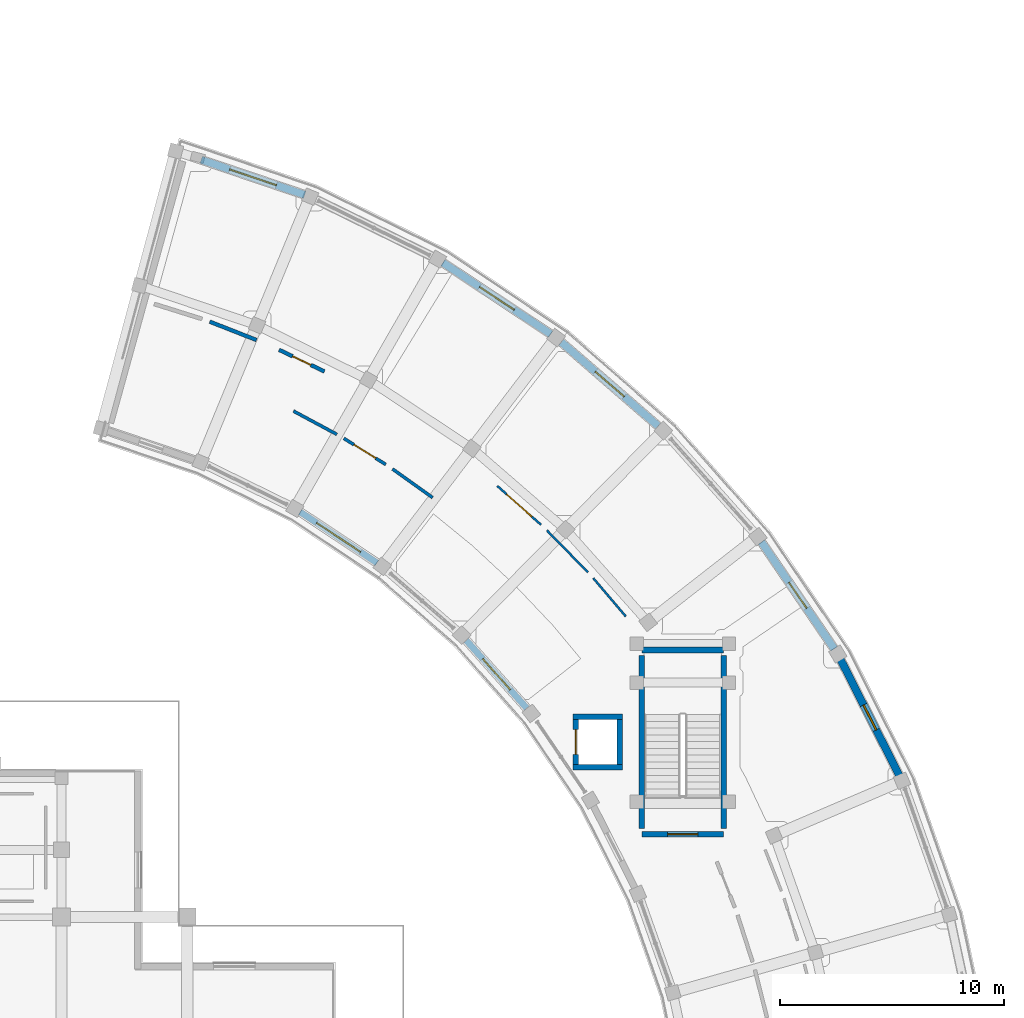
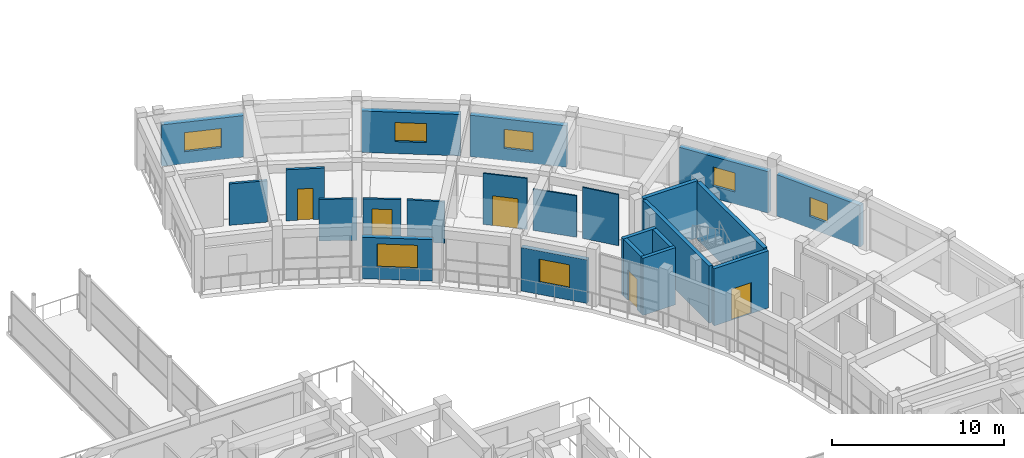
# One storey, part 53 of 72: 23 walls, 7 windows, 5 doors, 12 openings.
"""IFC4 building model written with IfcOpenShell, lengths in metres."""

from ifc_helpers import new_model, si_unit, direction, frame, frame_2d, origin, place, context, subcontext, project, spatial, rectangle, extrude, material, layer, layer_set, type_object, element, fill, save


model = new_model("IFC4")

# Units and contexts
model_context = context("Model", 3, precision=1e-05, world=origin(), true_north=direction((0.0, 1.0)))
body_context = subcontext(model_context, "Body", "Model", "MODEL_VIEW")
ifc_project = project(units=[si_unit("LENGTHUNIT", "METRE"), si_unit("AREAUNIT", "SQUARE_METRE"), si_unit("VOLUMEUNIT", "CUBIC_METRE"), si_unit("PLANEANGLEUNIT", "RADIAN"), si_unit("MASSUNIT", "GRAM", prefix="KILO")], contexts=[model_context])

# Site, building, storey
site_placement = place(None, origin())
site = spatial("IfcSite", under=ifc_project, at=site_placement, CompositionType="ELEMENT")
building_placement = place(site_placement, origin())
building = spatial("IfcBuilding", under=site, at=building_placement, Name="Saryqyr Civic Hall", CompositionType="ELEMENT")
storey_placement = place(building_placement, frame((0.0, 0.0, 17.25)))
storey = spatial("IfcBuildingStorey", under=building, at=storey_placement, Name="L04", CompositionType="ELEMENT", Elevation=17.25)

# Wall, opening, window
ifc_material_1 = material(Name="Precast concrete C40/50", Category="concrete")
ifc_layer_1 = layer(ifc_material_1, 0.2900390625, Name="Precast concrete C40/50")
ifc_layer_set_1 = layer_set([ifc_layer_1], Name="Precast concrete C40/50")
wall_type_1 = type_object("IfcWallType", Name="ENV-WAL-EXT-290", PredefinedType="STANDARD", material=ifc_layer_set_1)
wall_1_placement = place(storey_placement, frame((85.326416015625, 106.509521484375, 0.0), z_axis=(0.0, 0.0, 1.0), x_axis=(-0.664947894459, 0.74688974933, 0.0)))
wall_1 = element("IfcWall", 1, at=wall_1_placement, inside=storey, type_object=wall_type_1, Name="Exterior wall V6-EWI-L04-05", PredefinedType="STANDARD", context=body_context, shape_type="SweptSolid", body=[
    extrude(rectangle(XDim=4.046142578125, YDim=0.2900390625, at=frame_2d((2.02294921875, 0.0))), origin(), (0.0, 0.0, 1.0), 3.0849609375),
])
opening_1_placement = place(wall_1_placement, frame((1.097900390625, 0.0, 0.85009765625)))
opening_1 = element("IfcOpeningElement", 2, at=opening_1_placement, cuts=wall_1, Name="Opening W-20", PredefinedType="OPENING", context=body_context, shape_type="SweptSolid", body=[
    extrude(rectangle(XDim=1.85009765625, YDim=1.64990234375, at=frame_2d((0.925048828125, 0.824951171875))), frame((0.0, 0.155029296875, 0.0), z_axis=(0.0, -1.0, 0.0), x_axis=(1.0, 0.0, 0.0)), (0.0, 0.0, 1.0), 0.31005859375),
])
ifc_material_2 = material(Name="Anodised aluminium and triple low-E glass", Category="aluminium")
window_type_1 = type_object("IfcWindowType", Name="ENV-WIN-W20", PartitioningType="SINGLE_PANEL", PredefinedType="WINDOW", material=ifc_material_2)
window_1_placement = place(opening_1_placement, origin())
window_1 = element("IfcWindow", 3, at=window_1_placement, inside=storey, type_object=window_type_1, Name="Courtyard window V6-L04-05", OverallHeight=1.64990234375, OverallWidth=1.85009765625, PartitioningType="SINGLE_PANEL", PredefinedType="WINDOW", context=body_context, shape_type="SweptSolid", body=[
    extrude(rectangle(XDim=1.85009765625, YDim=1.64990234375, at=frame_2d((0.925048828125, 0.824951171875))), frame((0.0, 0.030029296875, 0.0), z_axis=(0.0, -1.0, 0.0), x_axis=(1.0, 0.0, 0.0)), (0.0, 0.0, 1.0), 0.06005859375),
])
fill(opening_1, window_1)

wall_2_placement = place(storey_placement, frame((78.658935546875, 112.984375, 0.0), z_axis=(0.0, 0.0, 1.0), x_axis=(-0.833763777336, 0.552121330508, 0.0)))
wall_2 = element("IfcWall", 4, at=wall_2_placement, inside=storey, type_object=wall_type_1, Name="Exterior wall V6-EWI-L04-07", PredefinedType="STANDARD", context=body_context, shape_type="SweptSolid", body=[
    extrude(rectangle(XDim=4.111572265625, YDim=0.2900390625, at=frame_2d((2.0556640625, 0.0))), origin(), (0.0, 0.0, 1.0), 2.93505859375),
])
opening_2_placement = place(wall_2_placement, frame((0.881103515625, 0.0, 0.85009765625)))
opening_2 = element("IfcOpeningElement", 5, at=opening_2_placement, cuts=wall_2, Name="Opening W-22", PredefinedType="OPENING", context=body_context, shape_type="SweptSolid", body=[
    extrude(rectangle(XDim=2.35009765625, YDim=1.64990234375, at=frame_2d((1.175048828125, 0.824951171875))), frame((0.0, 0.155029296875, 0.0), z_axis=(0.0, -1.0, 0.0), x_axis=(1.0, 0.0, 0.0)), (0.0, 0.0, 1.0), 0.31005859375),
])
window_type_2 = type_object("IfcWindowType", Name="ENV-WIN-W22", PartitioningType="SINGLE_PANEL", PredefinedType="WINDOW", material=ifc_material_2)
window_2_placement = place(opening_2_placement, origin())
window_2 = element("IfcWindow", 6, at=window_2_placement, inside=storey, type_object=window_type_2, Name="Courtyard window V6-L04-07", OverallHeight=1.64990234375, OverallWidth=2.35009765625, PartitioningType="SINGLE_PANEL", PredefinedType="WINDOW", context=body_context, shape_type="SweptSolid", body=[
    extrude(rectangle(XDim=2.35009765625, YDim=1.64990234375, at=frame_2d((1.175048828125, 0.824951171875))), frame((0.0, 0.030029296875, 0.0), z_axis=(0.0, -1.0, 0.0), x_axis=(1.0, 0.0, 0.0)), (0.0, 0.0, 1.0), 0.06005859375),
])
fill(opening_2, window_2)

ifc_layer_2 = layer(ifc_material_1, 0.340087890625, Name="Precast concrete C40/50")
ifc_layer_set_2 = layer_set([ifc_layer_2], Name="Precast concrete C40/50")
wall_type_2 = type_object("IfcWallType", Name="ENV-WAL-EXT-340", PredefinedType="STANDARD", material=ifc_layer_set_2)
wall_3_placement = place(storey_placement, frame((99.30859375, 108.685791015625, 0.0), z_axis=(0.0, 0.0, 1.0), x_axis=(0.451920591159, -0.892058170349, 0.0)))
wall_3 = element("IfcWall", 7, at=wall_3_placement, inside=storey, type_object=wall_type_2, Name="Exterior wall V6-EWO-L04-03", PredefinedType="STANDARD", context=body_context, shape_type="SweptSolid", body=[
    extrude(rectangle(XDim=5.801513671875, YDim=0.340087890625, at=frame_2d((2.90087890625, 0.0))), origin(), (0.0, 0.0, 1.0), 2.93505859375),
])
opening_3_placement = place(wall_3_placement, frame((2.27587890625, 0.0, 0.85009765625)))
opening_3 = element("IfcOpeningElement", 8, at=opening_3_placement, cuts=wall_3, Name="Opening W-02", PredefinedType="OPENING", context=body_context, shape_type="SweptSolid", body=[
    extrude(rectangle(XDim=1.25, YDim=1.35009765625, at=frame_2d((0.625, 0.675048828125))), frame((0.0, 0.179931640625, 0.0), z_axis=(0.0, -1.0, 0.0), x_axis=(1.0, 0.0, 0.0)), (0.0, 0.0, 1.0), 0.360107421875),
])
window_type_3 = type_object("IfcWindowType", Name="ENV-WIN-W02", PartitioningType="SINGLE_PANEL", PredefinedType="WINDOW", material=ifc_material_2)
window_3_placement = place(opening_3_placement, origin())
window_3 = element("IfcWindow", 9, at=window_3_placement, inside=storey, type_object=window_type_3, Name="Exterior ribbon window V6-L04-03", OverallHeight=1.35009765625, OverallWidth=1.25, PartitioningType="SINGLE_PANEL", PredefinedType="WINDOW", context=body_context, shape_type="SweptSolid", body=[
    extrude(rectangle(XDim=1.25, YDim=1.35009765625, at=frame_2d((0.625, 0.675048828125))), frame((0.0, 0.030029296875, 0.0), z_axis=(0.0, -1.0, 0.0), x_axis=(1.0, 0.0, 0.0)), (0.0, 0.0, 1.0), 0.06005859375),
])
fill(opening_3, window_3)

wall_4_placement = place(storey_placement, frame((95.785888671875, 113.91552734375, 0.0), z_axis=(0.0, 0.0, 1.0), x_axis=(0.563132935525, -0.826366321269, 0.0)))
wall_4 = element("IfcWall", 10, at=wall_4_placement, inside=storey, type_object=wall_type_2, Name="Exterior wall V6-EWO-L04-04", PredefinedType="STANDARD", context=body_context, shape_type="SweptSolid", body=[
    extrude(rectangle(XDim=5.759521484375, YDim=0.340087890625, at=frame_2d((2.8798828125, 0.0))), origin(), (0.0, 0.0, 1.0), 2.93505859375),
])
opening_4_placement = place(wall_4_placement, frame((2.179931640625, 0.0, 0.85009765625)))
opening_4 = element("IfcOpeningElement", 11, at=opening_4_placement, cuts=wall_4, Name="Opening W-03", PredefinedType="OPENING", context=body_context, shape_type="SweptSolid", body=[
    extrude(rectangle(XDim=1.39990234375, YDim=1.35009765625, at=frame_2d((0.699951171875, 0.675048828125))), frame((0.0, 0.179931640625, 0.0), z_axis=(0.0, -1.0, 0.0), x_axis=(1.0, 0.0, 0.0)), (0.0, 0.0, 1.0), 0.360107421875),
])
window_type_4 = type_object("IfcWindowType", Name="ENV-WIN-W03", PartitioningType="SINGLE_PANEL", PredefinedType="WINDOW", material=ifc_material_2)
window_4_placement = place(opening_4_placement, origin())
window_4 = element("IfcWindow", 12, at=window_4_placement, inside=storey, type_object=window_type_4, Name="Exterior ribbon window V6-L04-04", OverallHeight=1.35009765625, OverallWidth=1.39990234375, PartitioningType="SINGLE_PANEL", PredefinedType="WINDOW", context=body_context, shape_type="SweptSolid", body=[
    extrude(rectangle(XDim=1.39990234375, YDim=1.35009765625, at=frame_2d((0.699951171875, 0.675048828125))), frame((0.0, 0.030029296875, 0.0), z_axis=(0.0, -1.0, 0.0), x_axis=(1.0, 0.0, 0.0)), (0.0, 0.0, 1.0), 0.06005859375),
])
fill(opening_4, window_4)

wall_5_placement = place(storey_placement, frame((86.87060546875, 122.818603515625, 0.0), z_axis=(0.0, 0.0, 1.0), x_axis=(0.755648143479, -0.654977773101, 0.0)))
wall_5 = element("IfcWall", 13, at=wall_5_placement, inside=storey, type_object=wall_type_2, Name="Exterior wall V6-EWO-L04-06", PredefinedType="STANDARD", context=body_context, shape_type="SweptSolid", body=[
    extrude(rectangle(XDim=5.706298828125, YDim=0.340087890625, at=frame_2d((2.85302734375, 0.0))), origin(), (0.0, 0.0, 1.0), 2.93505859375),
])
opening_5_placement = place(wall_5_placement, frame((2.0029296875, 0.0, 0.85009765625)))
opening_5 = element("IfcOpeningElement", 14, at=opening_5_placement, cuts=wall_5, Name="Opening W-05", PredefinedType="OPENING", context=body_context, shape_type="SweptSolid", body=[
    extrude(rectangle(XDim=1.699951171875, YDim=1.35009765625, at=frame_2d((0.85009765625, 0.675048828125))), frame((0.0, 0.179931640625, 0.0), z_axis=(0.0, -1.0, 0.0), x_axis=(1.0, 0.0, 0.0)), (0.0, 0.0, 1.0), 0.360107421875),
])
window_type_5 = type_object("IfcWindowType", Name="ENV-WIN-W05", PartitioningType="SINGLE_PANEL", PredefinedType="WINDOW", material=ifc_material_2)
window_5_placement = place(opening_5_placement, origin())
window_5 = element("IfcWindow", 15, at=window_5_placement, inside=storey, type_object=window_type_5, Name="Exterior ribbon window V6-L04-06", OverallHeight=1.35009765625, OverallWidth=1.699951171875, PartitioningType="SINGLE_PANEL", PredefinedType="WINDOW", context=body_context, shape_type="SweptSolid", body=[
    extrude(rectangle(XDim=1.699951171875, YDim=1.35009765625, at=frame_2d((0.85009765625, 0.675048828125))), frame((0.0, 0.030029296875, 0.0), z_axis=(0.0, -1.0, 0.0), x_axis=(1.0, 0.0, 0.0)), (0.0, 0.0, 1.0), 0.06005859375),
])
fill(opening_5, window_5)

wall_6_placement = place(storey_placement, frame((81.593994140625, 126.360595703125, 0.0), z_axis=(0.0, 0.0, 1.0), x_axis=(0.833772811773, -0.552107687276, 0.0)))
wall_6 = element("IfcWall", 16, at=wall_6_placement, inside=storey, type_object=wall_type_2, Name="Exterior wall V6-EWO-L04-07", PredefinedType="STANDARD", context=body_context, shape_type="SweptSolid", body=[
    extrude(rectangle(XDim=5.764892578125, YDim=0.340087890625, at=frame_2d((2.88232421875, 0.0))), origin(), (0.0, 0.0, 1.0), 2.93505859375),
])
opening_6_placement = place(wall_6_placement, frame((1.95703125, 0.0, 0.85009765625)))
opening_6 = element("IfcOpeningElement", 17, at=opening_6_placement, cuts=wall_6, Name="Opening W-06", PredefinedType="OPENING", context=body_context, shape_type="SweptSolid", body=[
    extrude(rectangle(XDim=1.85009765625, YDim=1.35009765625, at=frame_2d((0.925048828125, 0.675048828125))), frame((0.0, 0.179931640625, 0.0), z_axis=(0.0, -1.0, 0.0), x_axis=(1.0, 0.0, 0.0)), (0.0, 0.0, 1.0), 0.360107421875),
])
window_type_6 = type_object("IfcWindowType", Name="ENV-WIN-W06", PartitioningType="SINGLE_PANEL", PredefinedType="WINDOW", material=ifc_material_2)
window_6_placement = place(opening_6_placement, origin())
window_6 = element("IfcWindow", 18, at=window_6_placement, inside=storey, type_object=window_type_6, Name="Exterior ribbon window V6-L04-07", OverallHeight=1.35009765625, OverallWidth=1.85009765625, PartitioningType="SINGLE_PANEL", PredefinedType="WINDOW", context=body_context, shape_type="SweptSolid", body=[
    extrude(rectangle(XDim=1.85009765625, YDim=1.35009765625, at=frame_2d((0.925048828125, 0.675048828125))), frame((0.0, 0.030029296875, 0.0), z_axis=(0.0, -1.0, 0.0), x_axis=(1.0, 0.0, 0.0)), (0.0, 0.0, 1.0), 0.06005859375),
])
fill(opening_6, window_6)

wall_7_placement = place(storey_placement, frame((70.820556640625, 130.945068359375, 0.0), z_axis=(0.0, 0.0, 1.0), x_axis=(0.947186506556, -0.320683210969, 0.0)))
wall_7 = element("IfcWall", 19, at=wall_7_placement, inside=storey, type_object=wall_type_2, Name="Exterior wall V6-EWO-L04-09", PredefinedType="STANDARD", context=body_context, shape_type="SweptSolid", body=[
    extrude(rectangle(XDim=4.87841796875, YDim=0.340087890625, at=frame_2d((2.439208984375, 0.0))), origin(), (0.0, 0.0, 1.0), 2.93505859375),
])
opening_7_placement = place(wall_7_placement, frame((1.339111328125, 0.0, 0.85009765625)))
opening_7 = element("IfcOpeningElement", 20, at=opening_7_placement, cuts=wall_7, Name="Opening W-08", PredefinedType="OPENING", context=body_context, shape_type="SweptSolid", body=[
    extrude(rectangle(XDim=2.199951171875, YDim=1.35009765625, at=frame_2d((1.10009765625, 0.675048828125))), frame((0.0, 0.179931640625, 0.0), z_axis=(0.0, -1.0, 0.0), x_axis=(1.0, 0.0, 0.0)), (0.0, 0.0, 1.0), 0.360107421875),
])
window_type_7 = type_object("IfcWindowType", Name="ENV-WIN-W08", PartitioningType="SINGLE_PANEL", PredefinedType="WINDOW", material=ifc_material_2)
window_7_placement = place(opening_7_placement, origin())
window_7 = element("IfcWindow", 21, at=window_7_placement, inside=storey, type_object=window_type_7, Name="Exterior ribbon window V6-L04-09", OverallHeight=1.35009765625, OverallWidth=2.199951171875, PartitioningType="SINGLE_PANEL", PredefinedType="WINDOW", context=body_context, shape_type="SweptSolid", body=[
    extrude(rectangle(XDim=2.199951171875, YDim=1.35009765625, at=frame_2d((1.10009765625, 0.675048828125))), frame((0.0, 0.030029296875, 0.0), z_axis=(0.0, -1.0, 0.0), x_axis=(1.0, 0.0, 0.0)), (0.0, 0.0, 1.0), 0.06005859375),
])
fill(opening_7, window_7)

# Wall
ifc_material_3 = material(Name="Lightweight demountable partition", Category="gypsum")
ifc_layer_3 = layer(ifc_material_3, 0.094970703125, Name="Lightweight demountable partition")
ifc_layer_set_3 = layer_set([ifc_layer_3], Name="Lightweight demountable partition")
wall_type_3 = type_object("IfcWallType", Name="INT-WAL-PRT-095", PredefinedType="PARTITIONING", material=ifc_layer_set_3)
wall_8_placement = place(storey_placement, frame((88.0517578125, 112.56787109375, 0.0), z_axis=(0.0, 0.0, 1.0), x_axis=(-0.699432513576, 0.714698649049, 0.0)))
element("IfcWall", 22, at=wall_8_placement, inside=storey, type_object=wall_type_3, Name="Interior partition PRT-SP-V6-L04-R02-W1", PredefinedType="PARTITIONING", context=body_context, shape_type="SweptSolid", body=[
    extrude(rectangle(XDim=2.606689453125, YDim=0.094970703125, at=frame_2d((1.30322265625, 0.0))), origin(), (0.0, 0.0, 1.0), 2.93505859375),
])

# Wall, opening, door
wall_9_placement = place(storey_placement, frame((85.968017578125, 114.678955078125, 0.0), z_axis=(0.0, 0.0, 1.0), x_axis=(-0.747951639087, 0.663753226423, 0.0)))
wall_9 = element("IfcWall", 23, at=wall_9_placement, inside=storey, type_object=wall_type_3, Name="Interior partition PRT-SP-V6-L04-R02-W2", PredefinedType="PARTITIONING", context=body_context, shape_type="SweptSolid", body=[
    extrude(rectangle(XDim=2.606689453125, YDim=0.094970703125, at=frame_2d((1.30322265625, 0.0))), origin(), (0.0, 0.0, 1.0), 3.6201171875),
])
opening_8_placement = place(wall_9_placement, frame((0.552978515625, 0.0, 0.0)))
opening_8 = element("IfcOpeningElement", 24, at=opening_8_placement, cuts=wall_9, Name="Opening D-08", PredefinedType="OPENING", context=body_context, shape_type="SweptSolid", body=[
    extrude(rectangle(XDim=1.5, YDim=2.10009765625, at=frame_2d((0.75, 1.050048828125))), frame((0.0, 0.057373046875, 0.0), z_axis=(0.0, -1.0, 0.0), x_axis=(1.0, 0.0, 0.0)), (0.0, 0.0, 1.0), 0.114990234375),
])
ifc_material_4 = material(Name="Acoustic solid-core oak veneer", Category="wood")
door_type_1 = type_object("IfcDoorType", Name="INT-DR-D-08", OperationType="NOTDEFINED", PredefinedType="DOOR", material=ifc_material_4)
door_1_placement = place(opening_8_placement, origin())
door_1 = element("IfcDoor", 25, at=door_1_placement, inside=storey, type_object=door_type_1, Name="Interior door Chief of Staff & Cabinet Secretariat", OperationType="SINGLE_SWING_LEFT", OverallHeight=2.10009765625, OverallWidth=1.5, PredefinedType="DOOR", context=body_context, shape_type="SweptSolid", body=[
    extrude(rectangle(XDim=1.5, YDim=2.10009765625, at=frame_2d((0.75, 1.050048828125))), frame((0.0, 0.02490234375, 0.0), z_axis=(0.0, -1.0, 0.0), x_axis=(1.0, 0.0, 0.0)), (0.0, 0.0, 1.0), 0.050048828125),
])
fill(opening_8, door_1)

# Wall
wall_10_placement = place(storey_placement, frame((89.74267578125, 110.59765625, 0.0), z_axis=(0.0, 0.0, 1.0), x_axis=(-0.647594555726, 0.761985099195, 0.0)))
element("IfcWall", 26, at=wall_10_placement, inside=storey, type_object=wall_type_3, Name="Interior partition PRT-SP-V6-L04-R02-W3", PredefinedType="PARTITIONING", context=body_context, shape_type="SweptSolid", body=[
    extrude(rectangle(XDim=2.23681640625, YDim=0.094970703125, at=frame_2d((1.118408203125, 0.0))), origin(), (0.0, 0.0, 1.0), 3.6201171875),
])

# Wall, opening, door
ifc_material_5 = material(Name="Metal-stud gypsum board partition", Category="gypsum")
ifc_layer_4 = layer(ifc_material_5, 0.139892578125, Name="Metal-stud gypsum board partition")
ifc_layer_set_4 = layer_set([ifc_layer_4], Name="Metal-stud gypsum board partition")
wall_type_4 = type_object("IfcWallType", Name="INT-WAL-PRT-140", PredefinedType="PARTITIONING", material=ifc_layer_set_4)
wall_11_placement = place(storey_placement, frame((77.18310546875, 118.5283203125, 0.0), z_axis=(0.0, 0.0, 1.0), x_axis=(0.849164067555, -0.52812913797, 0.0)))
wall_11 = element("IfcWall", 27, at=wall_11_placement, inside=storey, type_object=wall_type_4, Name="Interior partition PRT-SP-V6-L04-R05-W1", PredefinedType="PARTITIONING", context=body_context, shape_type="SweptSolid", body=[
    extrude(rectangle(XDim=2.1962890625, YDim=0.139892578125, at=frame_2d((1.09814453125, 0.0))), origin(), (0.0, 0.0, 1.0), 2.93505859375),
])
opening_9_placement = place(wall_11_placement, frame((0.52294921875, 0.0, 0.0)))
opening_9 = element("IfcOpeningElement", 28, at=opening_9_placement, cuts=wall_11, Name="Opening D-11", PredefinedType="OPENING", context=body_context, shape_type="SweptSolid", body=[
    extrude(rectangle(XDim=1.14990234375, YDim=2.219970703125, at=frame_2d((0.574951171875, 1.10986328125))), frame((0.0, 0.079833984375, 0.0), z_axis=(0.0, -1.0, 0.0), x_axis=(1.0, 0.0, 0.0)), (0.0, 0.0, 1.0), 0.159912109375),
])
door_type_2 = type_object("IfcDoorType", Name="INT-DR-D-11", OperationType="NOTDEFINED", PredefinedType="DOOR", material=ifc_material_4)
door_2_placement = place(opening_9_placement, origin())
door_2 = element("IfcDoor", 29, at=door_2_placement, inside=storey, type_object=door_type_2, Name="Interior door Protocol & Civic Delegations Office", OperationType="SINGLE_SWING_RIGHT", OverallHeight=2.219970703125, OverallWidth=1.14990234375, PredefinedType="DOOR", context=body_context, shape_type="SweptSolid", body=[
    extrude(rectangle(XDim=1.14990234375, YDim=2.219970703125, at=frame_2d((0.574951171875, 1.10986328125))), frame((0.0, 0.02490234375, 0.0), z_axis=(0.0, -1.0, 0.0), x_axis=(1.0, 0.0, 0.0)), (0.0, 0.0, 1.0), 0.050048828125),
])
fill(opening_9, door_2)

# Walls
for number, where, z_axis, x_axis, name in (
    (30, (79.347412109375, 117.168701171875, 0.0), (0.0, 0.0, 1.0), (0.813695920366, -0.581290761305, 0.0), "Interior partition PRT-SP-V6-L04-R05-W2"),
    (31, (74.936279296875, 119.747314453125, 0.0), (0.0, 0.0, 1.0), (0.881091360695, -0.472946100638, 0.0), "Interior partition PRT-SP-V6-L04-R05-W3"),
):
    element("IfcWall", number, at=place(storey_placement, frame(where, z_axis=z_axis, x_axis=x_axis)), inside=storey, type_object=wall_type_4, Name=name, PredefinedType="PARTITIONING", context=body_context, shape_type="SweptSolid", body=[
        extrude(rectangle(XDim=2.196533203125, YDim=0.139892578125, at=frame_2d((1.09814453125, 0.0))), origin(), (0.0, 0.0, 1.0), 2.93505859375),
    ])

# Wall, opening, door
ifc_material_6 = material(Name="Acoustic double-stud gypsum board", Category="gypsum")
ifc_layer_5 = layer(ifc_material_6, 0.169921875, Name="Acoustic double-stud gypsum board")
ifc_layer_set_5 = layer_set([ifc_layer_5], Name="Acoustic double-stud gypsum board")
wall_type_5 = type_object("IfcWallType", Name="INT-WAL-PRT-170", PredefinedType="PARTITIONING", material=ifc_layer_set_5)
wall_12_placement = place(storey_placement, frame((76.314208984375, 121.513916015625, 0.0), z_axis=(0.0, 0.0, 1.0), x_axis=(-0.902799981711, 0.430060685279, 0.0)))
wall_12 = element("IfcWall", 32, at=wall_12_placement, inside=storey, type_object=wall_type_5, Name="Interior partition PRT-SP-V6-L04-R03-W1", PredefinedType="PARTITIONING", context=body_context, shape_type="SweptSolid", body=[
    extrude(rectangle(XDim=2.236572265625, YDim=0.169921875, at=frame_2d((1.1181640625, 0.0))), origin(), (0.0, 0.0, 1.0), 3.6201171875),
])
opening_10_placement = place(wall_12_placement, frame((0.66796875, 0.0, 0.0)))
opening_10 = element("IfcOpeningElement", 33, at=opening_10_placement, cuts=wall_12, Name="Opening D-09", PredefinedType="OPENING", context=body_context, shape_type="SweptSolid", body=[
    extrude(rectangle(XDim=0.89990234375, YDim=2.219970703125, at=frame_2d((0.449951171875, 1.10986328125))), frame((0.0, 0.094970703125, 0.0), z_axis=(0.0, -1.0, 0.0), x_axis=(1.0, 0.0, 0.0)), (0.0, 0.0, 1.0), 0.18994140625),
])
door_type_3 = type_object("IfcDoorType", Name="INT-DR-D-09", OperationType="NOTDEFINED", PredefinedType="DOOR", material=ifc_material_4)
door_3_placement = place(opening_10_placement, origin())
door_3 = element("IfcDoor", 34, at=door_3_placement, inside=storey, type_object=door_type_3, Name="Interior door Executive Restroom & Accessible MGN WC L04-N", OperationType="SINGLE_SWING_RIGHT", OverallHeight=2.219970703125, OverallWidth=0.89990234375, PredefinedType="DOOR", context=body_context, shape_type="SweptSolid", body=[
    extrude(rectangle(XDim=0.89990234375, YDim=2.219970703125, at=frame_2d((0.449951171875, 1.10986328125))), frame((0.0, 0.02490234375, 0.0), z_axis=(0.0, -1.0, 0.0), x_axis=(1.0, 0.0, 0.0)), (0.0, 0.0, 1.0), 0.050048828125),
])
fill(opening_10, door_3)

# Walls
wall_13_placement = place(storey_placement, frame((73.28662109375, 122.91357421875, 0.0), z_axis=(0.0, 0.0, 1.0), x_axis=(-0.930799244524, 0.365530800881, 0.0)))
element("IfcWall", 35, at=wall_13_placement, inside=storey, type_object=wall_type_5, Name="Interior partition PRT-SP-V6-L04-R03-W2", PredefinedType="PARTITIONING", context=body_context, shape_type="SweptSolid", body=[
    extrude(rectangle(XDim=2.23681640625, YDim=0.169921875, at=frame_2d((1.118408203125, 0.0))), origin(), (0.0, 0.0, 1.0), 2.93505859375),
])
ifc_material_7 = material(Name="Concrete C40/50", Category="concrete")
ifc_layer_6 = layer(ifc_material_7, 0.239990234375, Name="Concrete C40/50")
ifc_layer_set_6 = layer_set([ifc_layer_6], Name="Concrete C40/50")
wall_type_6 = type_object("IfcWallType", Name="INT-WAL-SHR-240", PredefinedType="SHEAR", material=ifc_layer_set_6)
wall_14_placement = place(storey_placement, frame((89.60009765625, 103.8701171875, 0.0), z_axis=(0.0, 0.0, 1.0), x_axis=(-1.0, 0.0, 0.0)))
element("IfcWall", 36, at=wall_14_placement, inside=storey, type_object=wall_type_6, Name="Lift shaft shear wall LF-08-SHW-S-L04", PredefinedType="SHEAR", context=body_context, shape_type="SweptSolid", body=[
    extrude(rectangle(XDim=2.2001953125, YDim=0.239990234375, at=frame_2d((1.10009765625, 0.0))), origin(), (0.0, 0.0, 1.0), 4.050048828125),
])
wall_15_placement = place(storey_placement, frame((89.47998046875, 106.010009765625, 0.0), z_axis=(0.0, 0.0, 1.0), x_axis=(0.0, -1.0, 0.0)))
element("IfcWall", 37, at=wall_15_placement, inside=storey, type_object=wall_type_6, Name="Lift shaft shear wall LF-08-SHW-E-L04", PredefinedType="SHEAR", context=body_context, shape_type="SweptSolid", body=[
    extrude(rectangle(XDim=2.02001953125, YDim=0.239990234375, at=frame_2d((1.010009765625, 0.0))), origin(), (0.0, 0.0, 1.0), 4.050048828125),
])
wall_16_placement = place(storey_placement, frame((87.39990234375, 106.1298828125, 0.0), z_axis=(0.0, 0.0, 1.0), x_axis=(1.0, 0.0, 0.0)))
element("IfcWall", 38, at=wall_16_placement, inside=storey, type_object=wall_type_6, Name="Lift shaft shear wall LF-08-SHW-N-L04", PredefinedType="SHEAR", context=body_context, shape_type="SweptSolid", body=[
    extrude(rectangle(XDim=2.2001953125, YDim=0.239990234375, at=frame_2d((1.10009765625, 0.0))), origin(), (0.0, 0.0, 1.0), 4.050048828125),
])

# Wall, opening, door
wall_17_placement = place(storey_placement, frame((87.52001953125, 103.989990234375, 0.0), z_axis=(0.0, 0.0, 1.0), x_axis=(0.0, 1.0, 0.0)))
wall_17 = element("IfcWall", 39, at=wall_17_placement, inside=storey, type_object=wall_type_6, Name="Lift shaft shear wall LF-08-SHW-W-L04", PredefinedType="SHEAR", context=body_context, shape_type="SweptSolid", body=[
    extrude(rectangle(XDim=2.02001953125, YDim=0.239990234375, at=frame_2d((1.010009765625, 0.0))), origin(), (0.0, 0.0, 1.0), 4.050048828125),
])
opening_11_placement = place(wall_17_placement, frame((0.4599609375, 0.0, 0.0)))
opening_11 = element("IfcOpeningElement", 40, at=opening_11_placement, cuts=wall_17, Name="Opening LD-01", PredefinedType="OPENING", context=body_context, shape_type="SweptSolid", body=[
    extrude(rectangle(XDim=1.10009765625, YDim=2.14990234375, at=frame_2d((0.550048828125, 1.074951171875))), frame((0.0, 0.1298828125, 0.0), z_axis=(0.0, -1.0, 0.0), x_axis=(1.0, 0.0, 0.0)), (0.0, 0.0, 1.0), 0.260009765625),
])
ifc_material_8 = material(Name="Brushed stainless steel", Category="steel")
door_type_4 = type_object("IfcDoorType", Name="INT-DR-LD-1100x2150", OperationType="NOTDEFINED", PredefinedType="DOOR", material=ifc_material_8)
door_4_placement = place(opening_11_placement, origin())
door_4 = element("IfcDoor", 41, at=door_4_placement, inside=storey, type_object=door_type_4, Name="Lift sliding landing door LF-08 L04", OperationType="SLIDING_TO_RIGHT", OverallHeight=2.14990234375, OverallWidth=1.10009765625, PredefinedType="DOOR", context=body_context, shape_type="SweptSolid", body=[
    extrude(rectangle(XDim=1.10009765625, YDim=2.14990234375, at=frame_2d((0.550048828125, 1.074951171875))), frame((0.0, 0.02490234375, 0.0), z_axis=(0.0, -1.0, 0.0), x_axis=(1.0, 0.0, 0.0)), (0.0, 0.0, 1.0), 0.050048828125),
])
fill(opening_11, door_4)

ifc_layer_7 = layer(ifc_material_7, 0.25, Name="Concrete C40/50")
ifc_layer_set_7 = layer_set([ifc_layer_7], Name="Concrete C40/50")
wall_type_7 = type_object("IfcWallType", Name="INT-WAL-SHR-250", PredefinedType="SHEAR", material=ifc_layer_set_7)
wall_18_placement = place(storey_placement, frame((94.10009765625, 100.89990234375, 0.0), z_axis=(0.0, 0.0, 1.0), x_axis=(-1.0, 0.0, 0.0)))
wall_18 = element("IfcWall", 42, at=wall_18_placement, inside=storey, type_object=wall_type_7, Name="Protected stair shaft wall ST-6-SW1-L04", PredefinedType="SHEAR", context=body_context, shape_type="SweptSolid", body=[
    extrude(rectangle(XDim=3.64013671875, YDim=0.25, at=frame_2d((1.820068359375, 0.0))), origin(), (0.0, 0.0, 1.0), 4.050048828125),
])
opening_12_placement = place(wall_18_placement, frame((1.14501953125, 0.0, 0.0)))
opening_12 = element("IfcOpeningElement", 43, at=opening_12_placement, cuts=wall_18, Name="Opening SD-01", PredefinedType="OPENING", context=body_context, shape_type="SweptSolid", body=[
    extrude(rectangle(XDim=1.35009765625, YDim=2.199951171875, at=frame_2d((0.675048828125, 1.10009765625))), frame((0.0, 0.135009765625, 0.0), z_axis=(0.0, -1.0, 0.0), x_axis=(1.0, 0.0, 0.0)), (0.0, 0.0, 1.0), 0.27001953125),
])
ifc_material_9 = material(Name="Painted galvanized steel", Category="steel")
door_type_5 = type_object("IfcDoorType", Name="INT-DR-STAIR-1350x2200", OperationType="NOTDEFINED", PredefinedType="DOOR", material=ifc_material_9)
door_5_placement = place(opening_12_placement, origin())
door_5 = element("IfcDoor", 44, at=door_5_placement, inside=storey, type_object=door_type_5, Name="Exit stair landing fire door ST-6-L04", OperationType="SINGLE_SWING_RIGHT", OverallHeight=2.199951171875, OverallWidth=1.35009765625, PredefinedType="DOOR", context=body_context, shape_type="SweptSolid", body=[
    extrude(rectangle(XDim=1.35009765625, YDim=2.199951171875, at=frame_2d((0.675048828125, 1.10009765625))), frame((0.0, 0.02490234375, 0.0), z_axis=(0.0, -1.0, 0.0), x_axis=(1.0, 0.0, 0.0)), (0.0, 0.0, 1.0), 0.050048828125),
])
fill(opening_12, door_5)

# Walls
wall_19_placement = place(storey_placement, frame((90.4599609375, 101.14990234375, 0.0), z_axis=(0.0, 0.0, 1.0), x_axis=(0.0, 1.0, 0.0)))
element("IfcWall", 45, at=wall_19_placement, inside=storey, type_object=wall_type_7, Name="Protected stair shaft wall ST-6-SW2-L04", PredefinedType="SHEAR", context=body_context, shape_type="SweptSolid", body=[
    extrude(rectangle(XDim=7.7001953125, YDim=0.25, at=frame_2d((3.85009765625, 0.0))), origin(), (0.0, 0.0, 1.0), 4.050048828125),
])
wall_20_placement = place(storey_placement, frame((90.4599609375, 109.10009765625, 0.0), z_axis=(0.0, 0.0, 1.0), x_axis=(1.0, 0.0, 0.0)))
element("IfcWall", 46, at=wall_20_placement, inside=storey, type_object=wall_type_7, Name="Protected stair shaft wall ST-6-SW3-L04", PredefinedType="SHEAR", context=body_context, shape_type="SweptSolid", body=[
    extrude(rectangle(XDim=3.64013671875, YDim=0.25, at=frame_2d((1.820068359375, 0.0))), origin(), (0.0, 0.0, 1.0), 4.050048828125),
])
wall_21_placement = place(storey_placement, frame((94.10009765625, 108.85009765625, 0.0), z_axis=(0.0, 0.0, 1.0), x_axis=(0.0, -1.0, 0.0)))
element("IfcWall", 47, at=wall_21_placement, inside=storey, type_object=wall_type_7, Name="Protected stair shaft wall ST-6-SW4-L04", PredefinedType="SHEAR", context=body_context, shape_type="SweptSolid", body=[
    extrude(rectangle(XDim=7.7001953125, YDim=0.25, at=frame_2d((3.85009765625, 0.0))), origin(), (0.0, 0.0, 1.0), 4.050048828125),
])

save(model, "model.ifc")
